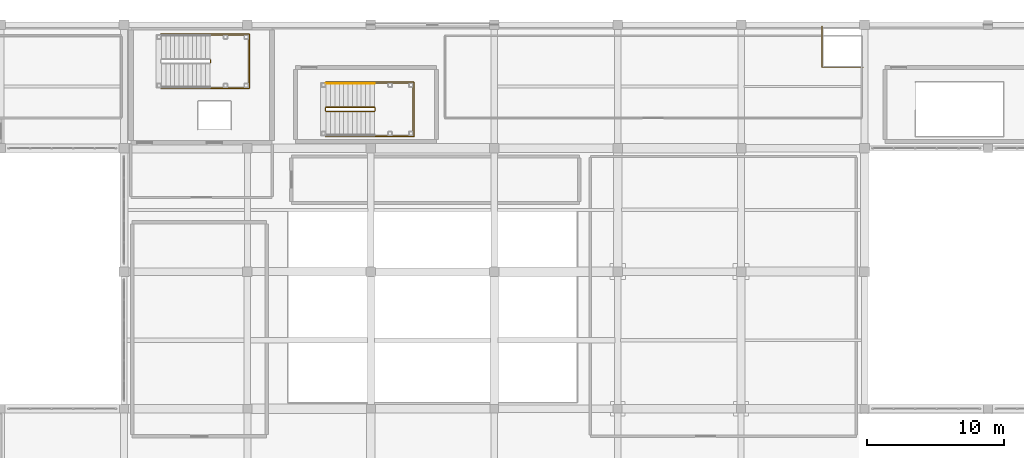
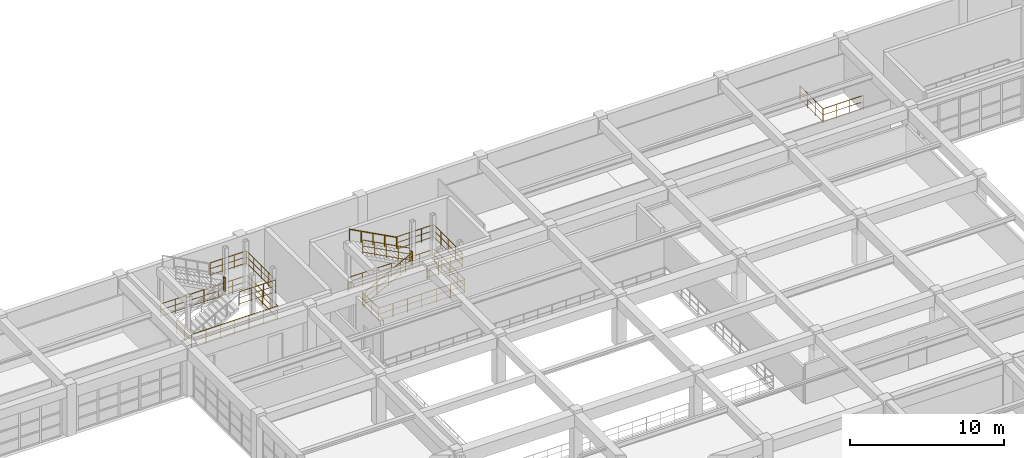
# One storey, part 129 of 130: 11 railings.
"""IFC4 building model written with IfcOpenShell, lengths in metres."""

from ifc_helpers import new_model, si_unit, direction, frame, origin, origin_2d, place, context, subcontext, project, spatial, circle, extrude, material, type_object, element, save


model = new_model("IFC4")

# Units and contexts
model_context = context("Model", 3, precision=1e-05, world=origin(), true_north=direction((0.0, 1.0)))
body_context = subcontext(model_context, "Body", "Model", "MODEL_VIEW")
ifc_project = project(units=[si_unit("LENGTHUNIT", "METRE"), si_unit("AREAUNIT", "SQUARE_METRE"), si_unit("VOLUMEUNIT", "CUBIC_METRE"), si_unit("PLANEANGLEUNIT", "RADIAN"), si_unit("MASSUNIT", "GRAM", prefix="KILO")], contexts=[model_context])

# Site, building, storey
site_placement = place(None, origin())
site = spatial("IfcSite", under=ifc_project, at=site_placement, CompositionType="ELEMENT")
building_placement = place(site_placement, origin())
building = spatial("IfcBuilding", under=site, at=building_placement, Name="Miravela Opera House", CompositionType="ELEMENT")
storey_placement = place(building_placement, frame((0.0, 0.0, 9.52001953125)))
storey = spatial("IfcBuildingStorey", under=building, at=storey_placement, Name="L02", CompositionType="ELEMENT", Elevation=9.52001953125)

# Railings
ifc_material_1 = material(Name="Brushed bronze continuous stair handrail")
railing_type_1 = type_object("IfcRailingType", Name="ARC-RAIL-HAND-900", PredefinedType="HANDRAIL", material=ifc_material_1)
railing_1_placement = place(storey_placement, frame((81.260009765625, 107.72998046875, 2.2099609375)))
element("IfcRailing", 1, at=railing_1_placement, inside=storey, type_object=railing_type_1, Name="L02 ST-07 stair handrail 2", PredefinedType="HANDRAIL", context=body_context, shape_type="SweptSolid", body=[
    extrude(circle(Radius=0.02392578125, at=origin_2d()), frame((0.0, 0.0, 0.8759765625), z_axis=(-0.883104616746, 0.0, 0.469176124586), x_axis=(0.0, -1.0, 0.0)), (0.0, 0.0, 1.0), 3.98583984375),
    extrude(circle(Radius=0.02099609375, at=origin_2d()), origin(), (0.0, 0.0, 1.0), 0.851806640625),
    extrude(circle(Radius=0.02099609375, at=origin_2d()), frame((-0.8798828125, 0.0, 0.467529296875)), (0.0, 0.0, 1.0), 0.851806640625),
    extrude(circle(Radius=0.02099609375, at=origin_2d()), frame((-1.760009765625, 0.0, 0.93505859375)), (0.0, 0.0, 1.0), 0.851806640625),
    extrude(circle(Radius=0.02099609375, at=origin_2d()), frame((-2.64013671875, 0.0, 1.402587890625)), (0.0, 0.0, 1.0), 0.851806640625),
    extrude(circle(Radius=0.02099609375, at=origin_2d()), frame((-3.52001953125, 0.0, 1.8701171875)), (0.0, 0.0, 1.0), 0.851806640625),
])
ifc_material_2 = material(Name="Painted wrought-iron stair guardrail")
railing_type_2 = type_object("IfcRailingType", Name="ARC-RAIL-STAIR-GUARD", PredefinedType="GUARDRAIL", material=ifc_material_2)
railing_2_placement = place(storey_placement, frame((69.31005859375, 109.239990234375, 2.0400390625)))
element("IfcRailing", 2, at=railing_2_placement, inside=storey, type_object=railing_type_2, Name="L02 ST-05 stair guard 2", PredefinedType="GUARDRAIL", context=body_context, shape_type="SweptSolid", body=[
    extrude(circle(Radius=0.02392578125, at=origin_2d()), frame((0.0, 0.0, 1.076171875), z_axis=(0.0, 1.0, 0.0), x_axis=(-1.0, 0.0, 0.0)), (0.0, 0.0, 1.0), 0.199951171875),
    extrude(circle(Radius=0.01611328125, at=origin_2d()), frame((0.0, 0.0, 0.60498046875), z_axis=(0.0, 1.0, 0.0), x_axis=(-1.0, 0.0, 0.0)), (0.0, 0.0, 1.0), 0.199951171875),
    extrude(circle(Radius=0.01611328125, at=origin_2d()), frame((0.0, 0.0, 0.1201171875), z_axis=(0.0, 1.0, 0.0), x_axis=(-1.0, 0.0, 0.0)), (0.0, 0.0, 1.0), 0.199951171875),
    extrude(circle(Radius=0.02099609375, at=origin_2d()), origin(), (0.0, 0.0, 1.0), 1.052001953125),
    extrude(circle(Radius=0.02099609375, at=origin_2d()), frame((0.0, 0.199951171875, 0.0)), (0.0, 0.0, 1.0), 1.052001953125),
])
railing_3_placement = place(storey_placement, frame((69.31005859375, 107.449951171875, 2.0400390625)))
element("IfcRailing", 3, at=railing_3_placement, inside=storey, type_object=railing_type_2, Name="Stair ST-05 Half-Landing Perimeter Guard (L02) 0052", PredefinedType="GUARDRAIL", context=body_context, shape_type="SweptSolid", body=[
    extrude(circle(Radius=0.02392578125, at=origin_2d()), frame((0.0, 0.0, 1.076171875), z_axis=(1.0, 0.0, 0.0), x_axis=(0.0, 1.0, 0.0)), (0.0, 0.0, 1.0), 2.739990234375),
    extrude(circle(Radius=0.01611328125, at=origin_2d()), frame((0.0, 0.0, 0.60498046875), z_axis=(1.0, 0.0, 0.0), x_axis=(0.0, 1.0, 0.0)), (0.0, 0.0, 1.0), 2.739990234375),
    extrude(circle(Radius=0.01611328125, at=origin_2d()), frame((0.0, 0.0, 0.1201171875), z_axis=(1.0, 0.0, 0.0), x_axis=(0.0, 1.0, 0.0)), (0.0, 0.0, 1.0), 2.739990234375),
    extrude(circle(Radius=0.02392578125, at=origin_2d()), frame((2.739990234375, 0.0, 1.076171875), z_axis=(0.0, 1.0, 0.0), x_axis=(-1.0, 0.0, 0.0)), (0.0, 0.0, 1.0), 3.780029296875),
    extrude(circle(Radius=0.01611328125, at=origin_2d()), frame((2.739990234375, 0.0, 0.60498046875), z_axis=(0.0, 1.0, 0.0), x_axis=(-1.0, 0.0, 0.0)), (0.0, 0.0, 1.0), 3.780029296875),
    extrude(circle(Radius=0.01611328125, at=origin_2d()), frame((2.739990234375, 0.0, 0.1201171875), z_axis=(0.0, 1.0, 0.0), x_axis=(-1.0, 0.0, 0.0)), (0.0, 0.0, 1.0), 3.780029296875),
    extrude(circle(Radius=0.02392578125, at=origin_2d()), frame((2.739990234375, 3.780029296875, 1.076171875), z_axis=(-1.0, 0.0, 0.0), x_axis=(0.0, -1.0, 0.0)), (0.0, 0.0, 1.0), 2.739990234375),
    extrude(circle(Radius=0.01611328125, at=origin_2d()), frame((2.739990234375, 3.780029296875, 0.60498046875), z_axis=(-1.0, 0.0, 0.0), x_axis=(0.0, -1.0, 0.0)), (0.0, 0.0, 1.0), 2.739990234375),
    extrude(circle(Radius=0.01611328125, at=origin_2d()), frame((2.739990234375, 3.780029296875, 0.1201171875), z_axis=(-1.0, 0.0, 0.0), x_axis=(0.0, -1.0, 0.0)), (0.0, 0.0, 1.0), 2.739990234375),
    extrude(circle(Radius=0.02099609375, at=origin_2d()), origin(), (0.0, 0.0, 1.0), 1.052001953125),
    extrude(circle(Radius=0.02099609375, at=origin_2d()), frame((0.913330078125, 0.0, 0.0)), (0.0, 0.0, 1.0), 1.052001953125),
    extrude(circle(Radius=0.02099609375, at=origin_2d()), frame((1.82666015625, 0.0, 0.0)), (0.0, 0.0, 1.0), 1.052001953125),
    extrude(circle(Radius=0.02099609375, at=origin_2d()), frame((2.739990234375, 0.0, 0.0)), (0.0, 0.0, 1.0), 1.052001953125),
    extrude(circle(Radius=0.02099609375, at=origin_2d()), frame((2.739990234375, 0.945068359375, 0.0)), (0.0, 0.0, 1.0), 1.052001953125),
    extrude(circle(Radius=0.02099609375, at=origin_2d()), frame((2.739990234375, 1.89013671875, 0.0)), (0.0, 0.0, 1.0), 1.052001953125),
    extrude(circle(Radius=0.02099609375, at=origin_2d()), frame((2.739990234375, 2.8349609375, 0.0)), (0.0, 0.0, 1.0), 1.052001953125),
    extrude(circle(Radius=0.02099609375, at=origin_2d()), frame((2.739990234375, 3.780029296875, 0.0)), (0.0, 0.0, 1.0), 1.052001953125),
    extrude(circle(Radius=0.02099609375, at=origin_2d()), frame((1.82666015625, 3.780029296875, 0.0)), (0.0, 0.0, 1.0), 1.052001953125),
    extrude(circle(Radius=0.02099609375, at=origin_2d()), frame((0.913330078125, 3.780029296875, 0.0)), (0.0, 0.0, 1.0), 1.052001953125),
    extrude(circle(Radius=0.02099609375, at=origin_2d()), frame((0.0, 3.780029296875, 0.0)), (0.0, 0.0, 1.0), 1.052001953125),
])
railing_4_placement = place(storey_placement, frame((65.68994140625, 109.27001953125, 0.0)))
element("IfcRailing", 4, at=railing_4_placement, inside=storey, type_object=railing_type_2, Name="Stair ST-05 Well Slab Opening Guard (L02) 0056", PredefinedType="GUARDRAIL", context=body_context, shape_type="SweptSolid", body=[
    extrude(circle(Radius=0.02392578125, at=origin_2d()), frame((0.0, 0.0, 1.076171875), z_axis=(0.0, -1.0, 0.0), x_axis=(1.0, 0.0, 0.0)), (0.0, 0.0, 1.0), 1.919921875),
    extrude(circle(Radius=0.01611328125, at=origin_2d()), frame((0.0, 0.0, 0.60498046875), z_axis=(0.0, -1.0, 0.0), x_axis=(1.0, 0.0, 0.0)), (0.0, 0.0, 1.0), 1.919921875),
    extrude(circle(Radius=0.01611328125, at=origin_2d()), frame((0.0, 0.0, 0.1201171875), z_axis=(0.0, -1.0, 0.0), x_axis=(1.0, 0.0, 0.0)), (0.0, 0.0, 1.0), 1.919921875),
    extrude(circle(Radius=0.02392578125, at=origin_2d()), frame((0.0, -1.919921875, 1.076171875), z_axis=(1.0, 0.0, 0.0), x_axis=(0.0, 1.0, 0.0)), (0.0, 0.0, 1.0), 6.4599609375),
    extrude(circle(Radius=0.01611328125, at=origin_2d()), frame((0.0, -1.919921875, 0.60498046875), z_axis=(1.0, 0.0, 0.0), x_axis=(0.0, 1.0, 0.0)), (0.0, 0.0, 1.0), 6.4599609375),
    extrude(circle(Radius=0.01611328125, at=origin_2d()), frame((0.0, -1.919921875, 0.1201171875), z_axis=(1.0, 0.0, 0.0), x_axis=(0.0, 1.0, 0.0)), (0.0, 0.0, 1.0), 6.4599609375),
    extrude(circle(Radius=0.02392578125, at=origin_2d()), frame((6.4599609375, -1.919921875, 1.076171875), z_axis=(0.0, 1.0, 0.0), x_axis=(-1.0, 0.0, 0.0)), (0.0, 0.0, 1.0), 3.97998046875),
    extrude(circle(Radius=0.01611328125, at=origin_2d()), frame((6.4599609375, -1.919921875, 0.60498046875), z_axis=(0.0, 1.0, 0.0), x_axis=(-1.0, 0.0, 0.0)), (0.0, 0.0, 1.0), 3.97998046875),
    extrude(circle(Radius=0.01611328125, at=origin_2d()), frame((6.4599609375, -1.919921875, 0.1201171875), z_axis=(0.0, 1.0, 0.0), x_axis=(-1.0, 0.0, 0.0)), (0.0, 0.0, 1.0), 3.97998046875),
    extrude(circle(Radius=0.02392578125, at=origin_2d()), frame((6.4599609375, 2.06005859375, 1.076171875), z_axis=(-1.0, 0.0, 0.0), x_axis=(0.0, -1.0, 0.0)), (0.0, 0.0, 1.0), 6.4599609375),
    extrude(circle(Radius=0.01611328125, at=origin_2d()), frame((6.4599609375, 2.06005859375, 0.60498046875), z_axis=(-1.0, 0.0, 0.0), x_axis=(0.0, -1.0, 0.0)), (0.0, 0.0, 1.0), 6.4599609375),
    extrude(circle(Radius=0.01611328125, at=origin_2d()), frame((6.4599609375, 2.06005859375, 0.1201171875), z_axis=(-1.0, 0.0, 0.0), x_axis=(0.0, -1.0, 0.0)), (0.0, 0.0, 1.0), 6.4599609375),
    extrude(circle(Radius=0.02099609375, at=origin_2d()), origin(), (0.0, 0.0, 1.0), 1.052001953125),
    extrude(circle(Radius=0.02099609375, at=origin_2d()), frame((0.0, -0.9599609375, 0.0)), (0.0, 0.0, 1.0), 1.052001953125),
    extrude(circle(Radius=0.02099609375, at=origin_2d()), frame((0.0, -1.919921875, 0.0)), (0.0, 0.0, 1.0), 1.052001953125),
    extrude(circle(Radius=0.02099609375, at=origin_2d()), frame((1.07666015625, -1.919921875, 0.0)), (0.0, 0.0, 1.0), 1.052001953125),
    extrude(circle(Radius=0.02099609375, at=origin_2d()), frame((2.1533203125, -1.919921875, 0.0)), (0.0, 0.0, 1.0), 1.052001953125),
    extrude(circle(Radius=0.02099609375, at=origin_2d()), frame((3.22998046875, -1.919921875, 0.0)), (0.0, 0.0, 1.0), 1.052001953125),
    extrude(circle(Radius=0.02099609375, at=origin_2d()), frame((4.306640625, -1.919921875, 0.0)), (0.0, 0.0, 1.0), 1.052001953125),
    extrude(circle(Radius=0.02099609375, at=origin_2d()), frame((5.38330078125, -1.919921875, 0.0)), (0.0, 0.0, 1.0), 1.052001953125),
    extrude(circle(Radius=0.02099609375, at=origin_2d()), frame((6.4599609375, -1.919921875, 0.0)), (0.0, 0.0, 1.0), 1.052001953125),
    extrude(circle(Radius=0.02099609375, at=origin_2d()), frame((6.4599609375, -0.9248046875, 0.0)), (0.0, 0.0, 1.0), 1.052001953125),
    extrude(circle(Radius=0.02099609375, at=origin_2d()), frame((6.4599609375, 0.070068359375, 0.0)), (0.0, 0.0, 1.0), 1.052001953125),
    extrude(circle(Radius=0.02099609375, at=origin_2d()), frame((6.4599609375, 1.06494140625, 0.0)), (0.0, 0.0, 1.0), 1.052001953125),
    extrude(circle(Radius=0.02099609375, at=origin_2d()), frame((6.4599609375, 2.06005859375, 0.0)), (0.0, 0.0, 1.0), 1.052001953125),
    extrude(circle(Radius=0.02099609375, at=origin_2d()), frame((5.38330078125, 2.06005859375, 0.0)), (0.0, 0.0, 1.0), 1.052001953125),
    extrude(circle(Radius=0.02099609375, at=origin_2d()), frame((4.306640625, 2.06005859375, 0.0)), (0.0, 0.0, 1.0), 1.052001953125),
    extrude(circle(Radius=0.02099609375, at=origin_2d()), frame((3.22998046875, 2.06005859375, 0.0)), (0.0, 0.0, 1.0), 1.052001953125),
    extrude(circle(Radius=0.02099609375, at=origin_2d()), frame((2.1533203125, 2.06005859375, 0.0)), (0.0, 0.0, 1.0), 1.052001953125),
    extrude(circle(Radius=0.02099609375, at=origin_2d()), frame((1.07666015625, 2.06005859375, 0.0)), (0.0, 0.0, 1.0), 1.052001953125),
    extrude(circle(Radius=0.02099609375, at=origin_2d()), frame((0.0, 2.06005859375, 0.0)), (0.0, 0.0, 1.0), 1.052001953125),
])
railing_5_placement = place(storey_placement, frame((77.739990234375, 105.68994140625, 0.169921875)))
element("IfcRailing", 5, at=railing_5_placement, inside=storey, type_object=railing_type_2, Name="L02 ST-07 stair guard 1", PredefinedType="GUARDRAIL", context=body_context, shape_type="SweptSolid", body=[
    extrude(circle(Radius=0.02392578125, at=origin_2d()), frame((0.0, 0.0, 1.076171875), z_axis=(0.883104616746, 0.0, 0.469176124586), x_axis=(0.0, 1.0, 0.0)), (0.0, 0.0, 1.0), 3.98583984375),
    extrude(circle(Radius=0.01611328125, at=origin_2d()), frame((0.0, 0.0, 0.60498046875), z_axis=(0.883104616746, 0.0, 0.469176124586), x_axis=(0.0, 1.0, 0.0)), (0.0, 0.0, 1.0), 3.98583984375),
    extrude(circle(Radius=0.01611328125, at=origin_2d()), frame((0.0, 0.0, 0.1201171875), z_axis=(0.883104616746, 0.0, 0.469176124586), x_axis=(0.0, 1.0, 0.0)), (0.0, 0.0, 1.0), 3.98583984375),
    extrude(circle(Radius=0.02099609375, at=origin_2d()), origin(), (0.0, 0.0, 1.0), 1.052001953125),
    extrude(circle(Radius=0.02099609375, at=origin_2d()), frame((0.8798828125, 0.0, 0.467529296875)), (0.0, 0.0, 1.0), 1.052001953125),
    extrude(circle(Radius=0.02099609375, at=origin_2d()), frame((1.760009765625, 0.0, 0.93505859375)), (0.0, 0.0, 1.0), 1.052001953125),
    extrude(circle(Radius=0.02099609375, at=origin_2d()), frame((2.64013671875, 0.0, 1.402587890625)), (0.0, 0.0, 1.0), 1.052001953125),
    extrude(circle(Radius=0.02099609375, at=origin_2d()), frame((3.52001953125, 0.0, 1.8701171875)), (0.0, 0.0, 1.0), 1.052001953125),
])
railing_6_placement = place(storey_placement, frame((81.31005859375, 105.739990234375, 2.0400390625)))
element("IfcRailing", 6, at=railing_6_placement, inside=storey, type_object=railing_type_2, Name="L02 ST-07 stair guard 2", PredefinedType="GUARDRAIL", context=body_context, shape_type="SweptSolid", body=[
    extrude(circle(Radius=0.02392578125, at=origin_2d()), frame((0.0, 0.0, 1.076171875), z_axis=(0.0, 1.0, 0.0), x_axis=(-1.0, 0.0, 0.0)), (0.0, 0.0, 1.0), 0.199951171875),
    extrude(circle(Radius=0.01611328125, at=origin_2d()), frame((0.0, 0.0, 0.60498046875), z_axis=(0.0, 1.0, 0.0), x_axis=(-1.0, 0.0, 0.0)), (0.0, 0.0, 1.0), 0.199951171875),
    extrude(circle(Radius=0.01611328125, at=origin_2d()), frame((0.0, 0.0, 0.1201171875), z_axis=(0.0, 1.0, 0.0), x_axis=(-1.0, 0.0, 0.0)), (0.0, 0.0, 1.0), 0.199951171875),
    extrude(circle(Radius=0.02099609375, at=origin_2d()), origin(), (0.0, 0.0, 1.0), 1.052001953125),
    extrude(circle(Radius=0.02099609375, at=origin_2d()), frame((0.0, 0.199951171875, 0.0)), (0.0, 0.0, 1.0), 1.052001953125),
])
railing_7_placement = place(storey_placement, frame((81.260009765625, 105.989990234375, 2.2099609375)))
element("IfcRailing", 7, at=railing_7_placement, inside=storey, type_object=railing_type_2, Name="L02 ST-07 stair guard 3", PredefinedType="GUARDRAIL", context=body_context, shape_type="SweptSolid", body=[
    extrude(circle(Radius=0.02392578125, at=origin_2d()), frame((0.0, 0.0, 1.076171875), z_axis=(-0.883104616746, 0.0, 0.469176124586), x_axis=(0.0, -1.0, 0.0)), (0.0, 0.0, 1.0), 3.98583984375),
    extrude(circle(Radius=0.01611328125, at=origin_2d()), frame((0.0, 0.0, 0.60498046875), z_axis=(-0.883104616746, 0.0, 0.469176124586), x_axis=(0.0, -1.0, 0.0)), (0.0, 0.0, 1.0), 3.98583984375),
    extrude(circle(Radius=0.01611328125, at=origin_2d()), frame((0.0, 0.0, 0.1201171875), z_axis=(-0.883104616746, 0.0, 0.469176124586), x_axis=(0.0, -1.0, 0.0)), (0.0, 0.0, 1.0), 3.98583984375),
    extrude(circle(Radius=0.02099609375, at=origin_2d()), origin(), (0.0, 0.0, 1.0), 1.052001953125),
    extrude(circle(Radius=0.02099609375, at=origin_2d()), frame((-0.8798828125, 0.0, 0.467529296875)), (0.0, 0.0, 1.0), 1.052001953125),
    extrude(circle(Radius=0.02099609375, at=origin_2d()), frame((-1.760009765625, 0.0, 0.93505859375)), (0.0, 0.0, 1.0), 1.052001953125),
    extrude(circle(Radius=0.02099609375, at=origin_2d()), frame((-2.64013671875, 0.0, 1.402587890625)), (0.0, 0.0, 1.0), 1.052001953125),
    extrude(circle(Radius=0.02099609375, at=origin_2d()), frame((-3.52001953125, 0.0, 1.8701171875)), (0.0, 0.0, 1.0), 1.052001953125),
])
railing_8_placement = place(storey_placement, frame((77.68994140625, 105.739990234375, 0.0)))
element("IfcRailing", 8, at=railing_8_placement, inside=storey, type_object=railing_type_2, Name="L02 ST-07 stair guard 4", PredefinedType="GUARDRAIL", context=body_context, shape_type="SweptSolid", body=[
    extrude(circle(Radius=0.02392578125, at=origin_2d()), frame((0.0, 0.0, 1.076171875), z_axis=(0.0, 1.0, 0.0), x_axis=(-1.0, 0.0, 0.0)), (0.0, 0.0, 1.0), 0.199951171875),
    extrude(circle(Radius=0.01611328125, at=origin_2d()), frame((0.0, 0.0, 0.60498046875), z_axis=(0.0, 1.0, 0.0), x_axis=(-1.0, 0.0, 0.0)), (0.0, 0.0, 1.0), 0.199951171875),
    extrude(circle(Radius=0.01611328125, at=origin_2d()), frame((0.0, 0.0, 0.1201171875), z_axis=(0.0, 1.0, 0.0), x_axis=(-1.0, 0.0, 0.0)), (0.0, 0.0, 1.0), 0.199951171875),
    extrude(circle(Radius=0.02099609375, at=origin_2d()), origin(), (0.0, 0.0, 1.0), 1.052001953125),
    extrude(circle(Radius=0.02099609375, at=origin_2d()), frame((0.0, 0.199951171875, 0.0)), (0.0, 0.0, 1.0), 1.052001953125),
])
railing_9_placement = place(storey_placement, frame((81.31005859375, 103.949951171875, 2.0400390625)))
element("IfcRailing", 9, at=railing_9_placement, inside=storey, type_object=railing_type_2, Name="Stair ST-07 Half-Landing Perimeter Guard (L02) 0070", PredefinedType="GUARDRAIL", context=body_context, shape_type="SweptSolid", body=[
    extrude(circle(Radius=0.02392578125, at=origin_2d()), frame((0.0, 0.0, 1.076171875), z_axis=(1.0, 0.0, 0.0), x_axis=(0.0, 1.0, 0.0)), (0.0, 0.0, 1.0), 2.739990234375),
    extrude(circle(Radius=0.01611328125, at=origin_2d()), frame((0.0, 0.0, 0.60498046875), z_axis=(1.0, 0.0, 0.0), x_axis=(0.0, 1.0, 0.0)), (0.0, 0.0, 1.0), 2.739990234375),
    extrude(circle(Radius=0.01611328125, at=origin_2d()), frame((0.0, 0.0, 0.1201171875), z_axis=(1.0, 0.0, 0.0), x_axis=(0.0, 1.0, 0.0)), (0.0, 0.0, 1.0), 2.739990234375),
    extrude(circle(Radius=0.02392578125, at=origin_2d()), frame((2.739990234375, 0.0, 1.076171875), z_axis=(0.0, 1.0, 0.0), x_axis=(-1.0, 0.0, 0.0)), (0.0, 0.0, 1.0), 3.780029296875),
    extrude(circle(Radius=0.01611328125, at=origin_2d()), frame((2.739990234375, 0.0, 0.60498046875), z_axis=(0.0, 1.0, 0.0), x_axis=(-1.0, 0.0, 0.0)), (0.0, 0.0, 1.0), 3.780029296875),
    extrude(circle(Radius=0.01611328125, at=origin_2d()), frame((2.739990234375, 0.0, 0.1201171875), z_axis=(0.0, 1.0, 0.0), x_axis=(-1.0, 0.0, 0.0)), (0.0, 0.0, 1.0), 3.780029296875),
    extrude(circle(Radius=0.02392578125, at=origin_2d()), frame((2.739990234375, 3.780029296875, 1.076171875), z_axis=(-1.0, 0.0, 0.0), x_axis=(0.0, -1.0, 0.0)), (0.0, 0.0, 1.0), 2.739990234375),
    extrude(circle(Radius=0.01611328125, at=origin_2d()), frame((2.739990234375, 3.780029296875, 0.60498046875), z_axis=(-1.0, 0.0, 0.0), x_axis=(0.0, -1.0, 0.0)), (0.0, 0.0, 1.0), 2.739990234375),
    extrude(circle(Radius=0.01611328125, at=origin_2d()), frame((2.739990234375, 3.780029296875, 0.1201171875), z_axis=(-1.0, 0.0, 0.0), x_axis=(0.0, -1.0, 0.0)), (0.0, 0.0, 1.0), 2.739990234375),
    extrude(circle(Radius=0.02099609375, at=origin_2d()), origin(), (0.0, 0.0, 1.0), 1.052001953125),
    extrude(circle(Radius=0.02099609375, at=origin_2d()), frame((0.913330078125, 0.0, 0.0)), (0.0, 0.0, 1.0), 1.052001953125),
    extrude(circle(Radius=0.02099609375, at=origin_2d()), frame((1.82666015625, 0.0, 0.0)), (0.0, 0.0, 1.0), 1.052001953125),
    extrude(circle(Radius=0.02099609375, at=origin_2d()), frame((2.739990234375, 0.0, 0.0)), (0.0, 0.0, 1.0), 1.052001953125),
    extrude(circle(Radius=0.02099609375, at=origin_2d()), frame((2.739990234375, 0.945068359375, 0.0)), (0.0, 0.0, 1.0), 1.052001953125),
    extrude(circle(Radius=0.02099609375, at=origin_2d()), frame((2.739990234375, 1.89013671875, 0.0)), (0.0, 0.0, 1.0), 1.052001953125),
    extrude(circle(Radius=0.02099609375, at=origin_2d()), frame((2.739990234375, 2.8349609375, 0.0)), (0.0, 0.0, 1.0), 1.052001953125),
    extrude(circle(Radius=0.02099609375, at=origin_2d()), frame((2.739990234375, 3.780029296875, 0.0)), (0.0, 0.0, 1.0), 1.052001953125),
    extrude(circle(Radius=0.02099609375, at=origin_2d()), frame((1.82666015625, 3.780029296875, 0.0)), (0.0, 0.0, 1.0), 1.052001953125),
    extrude(circle(Radius=0.02099609375, at=origin_2d()), frame((0.913330078125, 3.780029296875, 0.0)), (0.0, 0.0, 1.0), 1.052001953125),
    extrude(circle(Radius=0.02099609375, at=origin_2d()), frame((0.0, 3.780029296875, 0.0)), (0.0, 0.0, 1.0), 1.052001953125),
])
railing_10_placement = place(storey_placement, frame((77.68994140625, 105.77001953125, 0.0)))
element("IfcRailing", 10, at=railing_10_placement, inside=storey, type_object=railing_type_2, Name="Stair ST-07 Well Slab Opening Guard (L02) 0073", PredefinedType="GUARDRAIL", context=body_context, shape_type="SweptSolid", body=[
    extrude(circle(Radius=0.02392578125, at=origin_2d()), frame((0.0, 0.0, 1.076171875), z_axis=(0.0, -1.0, 0.0), x_axis=(1.0, 0.0, 0.0)), (0.0, 0.0, 1.0), 1.919921875),
    extrude(circle(Radius=0.01611328125, at=origin_2d()), frame((0.0, 0.0, 0.60498046875), z_axis=(0.0, -1.0, 0.0), x_axis=(1.0, 0.0, 0.0)), (0.0, 0.0, 1.0), 1.919921875),
    extrude(circle(Radius=0.01611328125, at=origin_2d()), frame((0.0, 0.0, 0.1201171875), z_axis=(0.0, -1.0, 0.0), x_axis=(1.0, 0.0, 0.0)), (0.0, 0.0, 1.0), 1.919921875),
    extrude(circle(Radius=0.02392578125, at=origin_2d()), frame((0.0, -1.919921875, 1.076171875), z_axis=(1.0, 0.0, 0.0), x_axis=(0.0, 1.0, 0.0)), (0.0, 0.0, 1.0), 6.4599609375),
    extrude(circle(Radius=0.01611328125, at=origin_2d()), frame((0.0, -1.919921875, 0.60498046875), z_axis=(1.0, 0.0, 0.0), x_axis=(0.0, 1.0, 0.0)), (0.0, 0.0, 1.0), 6.4599609375),
    extrude(circle(Radius=0.01611328125, at=origin_2d()), frame((0.0, -1.919921875, 0.1201171875), z_axis=(1.0, 0.0, 0.0), x_axis=(0.0, 1.0, 0.0)), (0.0, 0.0, 1.0), 6.4599609375),
    extrude(circle(Radius=0.02392578125, at=origin_2d()), frame((6.4599609375, -1.919921875, 1.076171875), z_axis=(0.0, 1.0, 0.0), x_axis=(-1.0, 0.0, 0.0)), (0.0, 0.0, 1.0), 3.97998046875),
    extrude(circle(Radius=0.01611328125, at=origin_2d()), frame((6.4599609375, -1.919921875, 0.60498046875), z_axis=(0.0, 1.0, 0.0), x_axis=(-1.0, 0.0, 0.0)), (0.0, 0.0, 1.0), 3.97998046875),
    extrude(circle(Radius=0.01611328125, at=origin_2d()), frame((6.4599609375, -1.919921875, 0.1201171875), z_axis=(0.0, 1.0, 0.0), x_axis=(-1.0, 0.0, 0.0)), (0.0, 0.0, 1.0), 3.97998046875),
    extrude(circle(Radius=0.02392578125, at=origin_2d()), frame((6.4599609375, 2.06005859375, 1.076171875), z_axis=(-1.0, 0.0, 0.0), x_axis=(0.0, -1.0, 0.0)), (0.0, 0.0, 1.0), 6.4599609375),
    extrude(circle(Radius=0.01611328125, at=origin_2d()), frame((6.4599609375, 2.06005859375, 0.60498046875), z_axis=(-1.0, 0.0, 0.0), x_axis=(0.0, -1.0, 0.0)), (0.0, 0.0, 1.0), 6.4599609375),
    extrude(circle(Radius=0.01611328125, at=origin_2d()), frame((6.4599609375, 2.06005859375, 0.1201171875), z_axis=(-1.0, 0.0, 0.0), x_axis=(0.0, -1.0, 0.0)), (0.0, 0.0, 1.0), 6.4599609375),
    extrude(circle(Radius=0.02099609375, at=origin_2d()), origin(), (0.0, 0.0, 1.0), 1.052001953125),
    extrude(circle(Radius=0.02099609375, at=origin_2d()), frame((0.0, -0.9599609375, 0.0)), (0.0, 0.0, 1.0), 1.052001953125),
    extrude(circle(Radius=0.02099609375, at=origin_2d()), frame((0.0, -1.919921875, 0.0)), (0.0, 0.0, 1.0), 1.052001953125),
    extrude(circle(Radius=0.02099609375, at=origin_2d()), frame((1.07666015625, -1.919921875, 0.0)), (0.0, 0.0, 1.0), 1.052001953125),
    extrude(circle(Radius=0.02099609375, at=origin_2d()), frame((2.1533203125, -1.919921875, 0.0)), (0.0, 0.0, 1.0), 1.052001953125),
    extrude(circle(Radius=0.02099609375, at=origin_2d()), frame((3.22998046875, -1.919921875, 0.0)), (0.0, 0.0, 1.0), 1.052001953125),
    extrude(circle(Radius=0.02099609375, at=origin_2d()), frame((4.306640625, -1.919921875, 0.0)), (0.0, 0.0, 1.0), 1.052001953125),
    extrude(circle(Radius=0.02099609375, at=origin_2d()), frame((5.38330078125, -1.919921875, 0.0)), (0.0, 0.0, 1.0), 1.052001953125),
    extrude(circle(Radius=0.02099609375, at=origin_2d()), frame((6.4599609375, -1.919921875, 0.0)), (0.0, 0.0, 1.0), 1.052001953125),
    extrude(circle(Radius=0.02099609375, at=origin_2d()), frame((6.4599609375, -0.9248046875, 0.0)), (0.0, 0.0, 1.0), 1.052001953125),
    extrude(circle(Radius=0.02099609375, at=origin_2d()), frame((6.4599609375, 0.070068359375, 0.0)), (0.0, 0.0, 1.0), 1.052001953125),
    extrude(circle(Radius=0.02099609375, at=origin_2d()), frame((6.4599609375, 1.06494140625, 0.0)), (0.0, 0.0, 1.0), 1.052001953125),
    extrude(circle(Radius=0.02099609375, at=origin_2d()), frame((6.4599609375, 2.06005859375, 0.0)), (0.0, 0.0, 1.0), 1.052001953125),
    extrude(circle(Radius=0.02099609375, at=origin_2d()), frame((5.38330078125, 2.06005859375, 0.0)), (0.0, 0.0, 1.0), 1.052001953125),
    extrude(circle(Radius=0.02099609375, at=origin_2d()), frame((4.306640625, 2.06005859375, 0.0)), (0.0, 0.0, 1.0), 1.052001953125),
    extrude(circle(Radius=0.02099609375, at=origin_2d()), frame((3.22998046875, 2.06005859375, 0.0)), (0.0, 0.0, 1.0), 1.052001953125),
    extrude(circle(Radius=0.02099609375, at=origin_2d()), frame((2.1533203125, 2.06005859375, 0.0)), (0.0, 0.0, 1.0), 1.052001953125),
    extrude(circle(Radius=0.02099609375, at=origin_2d()), frame((1.07666015625, 2.06005859375, 0.0)), (0.0, 0.0, 1.0), 1.052001953125),
    extrude(circle(Radius=0.02099609375, at=origin_2d()), frame((0.0, 2.06005859375, 0.0)), (0.0, 0.0, 1.0), 1.052001953125),
])
ifc_material_3 = material(Name="Spanish Colonial wrought-iron terrace guard")
railing_type_3 = type_object("IfcRailingType", Name="ARC-RAIL-TERR-GUARD", PredefinedType="GUARDRAIL", material=ifc_material_3)
railing_11_placement = place(storey_placement, frame((116.89990234375, 108.89990234375, 0.0)))
element("IfcRailing", 11, at=railing_11_placement, inside=storey, type_object=railing_type_3, Name="SLAB-L02-V3M2 Stepped Corner Guardrail 0183", PredefinedType="GUARDRAIL", context=body_context, shape_type="SweptSolid", body=[
    extrude(circle(Radius=0.02685546875, at=origin_2d()), frame((0.0, 0.0, 1.1328125), z_axis=(-1.0, 0.0, 0.0), x_axis=(0.0, -1.0, 0.0)), (0.0, 0.0, 1.0), 3.0),
    extrude(circle(Radius=0.01611328125, at=origin_2d()), frame((0.0, 0.0, 0.637939453125), z_axis=(-1.0, 0.0, 0.0), x_axis=(0.0, -1.0, 0.0)), (0.0, 0.0, 1.0), 3.0),
    extrude(circle(Radius=0.01611328125, at=origin_2d()), frame((0.0, 0.0, 0.1201171875), z_axis=(-1.0, 0.0, 0.0), x_axis=(0.0, -1.0, 0.0)), (0.0, 0.0, 1.0), 3.0),
    extrude(circle(Radius=0.02685546875, at=origin_2d()), frame((-3.0, 0.0, 1.1328125), z_axis=(0.0, 1.0, 0.0), x_axis=(-1.0, 0.0, 0.0)), (0.0, 0.0, 1.0), 3.0),
    extrude(circle(Radius=0.01611328125, at=origin_2d()), frame((-3.0, 0.0, 0.637939453125), z_axis=(0.0, 1.0, 0.0), x_axis=(-1.0, 0.0, 0.0)), (0.0, 0.0, 1.0), 3.0),
    extrude(circle(Radius=0.01611328125, at=origin_2d()), frame((-3.0, 0.0, 0.1201171875), z_axis=(0.0, 1.0, 0.0), x_axis=(-1.0, 0.0, 0.0)), (0.0, 0.0, 1.0), 3.0),
    extrude(circle(Radius=0.02099609375, at=origin_2d()), origin(), (0.0, 0.0, 1.0), 1.10595703125),
    extrude(circle(Radius=0.02099609375, at=origin_2d()), frame((-1.0, 0.0, 0.0)), (0.0, 0.0, 1.0), 1.10595703125),
    extrude(circle(Radius=0.02099609375, at=origin_2d()), frame((-2.0, 0.0, 0.0)), (0.0, 0.0, 1.0), 1.10595703125),
    extrude(circle(Radius=0.02099609375, at=origin_2d()), frame((-3.0, 0.0, 0.0)), (0.0, 0.0, 1.0), 1.10595703125),
    extrude(circle(Radius=0.02099609375, at=origin_2d()), frame((-3.0, 1.0, 0.0)), (0.0, 0.0, 1.0), 1.10595703125),
    extrude(circle(Radius=0.02099609375, at=origin_2d()), frame((-3.0, 2.0, 0.0)), (0.0, 0.0, 1.0), 1.10595703125),
    extrude(circle(Radius=0.02099609375, at=origin_2d()), frame((-3.0, 3.0, 0.0)), (0.0, 0.0, 1.0), 1.10595703125),
])

save(model, "model.ifc")
